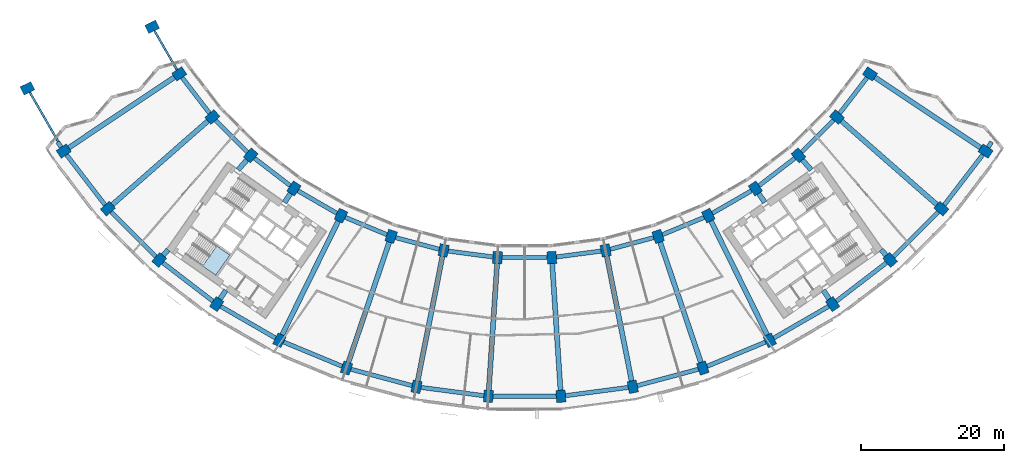
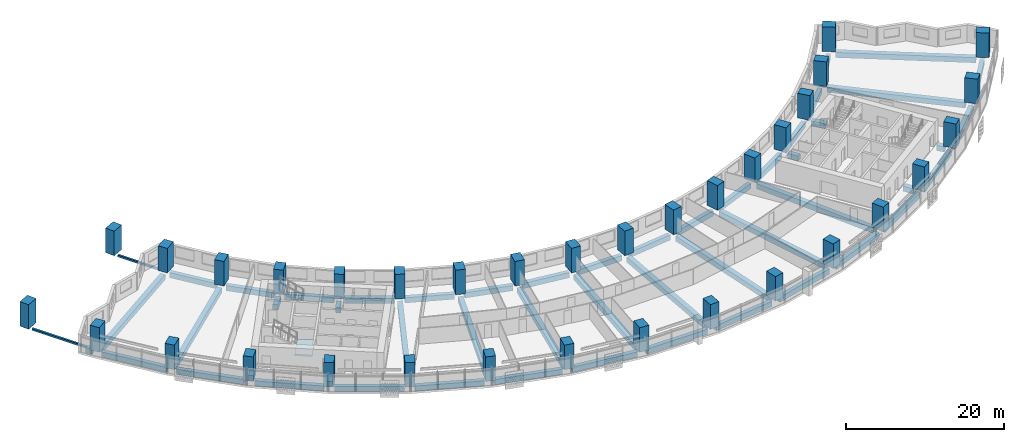
# One storey, part 1 of 29: 52 beams, 34 columns, 2 members, 1 slab, 1 element without a shape of its own.
"""IFC4 building model written with IfcOpenShell, lengths in metres."""

from ifc_helpers import new_model, si_unit, direction, frame, origin, origin_2d, place, context, subcontext, project, spatial, polyline, rectangle, hollow_rectangle, outline, extrude, material, layer, layer_set, material_profile, profile_set, type_object, element, aggregate, save


model = new_model("IFC4")

# Units and contexts
model_context = context("Model", 3, precision=1e-05, world=origin(), true_north=direction((0.0, 1.0)))
body_context = subcontext(model_context, "Body", "Model", "MODEL_VIEW")
ifc_project = project(units=[si_unit("LENGTHUNIT", "METRE"), si_unit("AREAUNIT", "SQUARE_METRE"), si_unit("VOLUMEUNIT", "CUBIC_METRE"), si_unit("PLANEANGLEUNIT", "RADIAN"), si_unit("MASSUNIT", "GRAM", prefix="KILO")], contexts=[model_context])

# Site, building, storey
site_placement = place(None, origin())
site = spatial("IfcSite", under=ifc_project, at=site_placement, CompositionType="ELEMENT")
building_placement = place(site_placement, origin())
building = spatial("IfcBuilding", under=site, at=building_placement, Name="Qamariyya Broadcast Tower", CompositionType="ELEMENT")
storey_placement = place(building_placement, frame((0.0, 0.0, 44.300048828125)))
storey = spatial("IfcBuildingStorey", under=building, at=storey_placement, Name="L07", CompositionType="ELEMENT", Elevation=44.300048828125)

# Columns
ifc_material_1 = material(Name="Concrete C70/85", Category="concrete")
ifc_material_profile_1 = material_profile(ifc_material_1, rectangle(XDim=1.300048828125, YDim=1.699951171875, at=origin_2d()))
ifc_profile_set_1 = profile_set([ifc_material_profile_1], Name="Concrete C70/85")
column_type = type_object("IfcColumnType", Name="RC column 1300 x 1700 C70/85", PredefinedType="COLUMN", material=ifc_profile_set_1)
for number, where, z_axis, x_axis, name in (
    (1, (-48.43310546875, -32.362060546875, 0.0), (0.0, 0.0, 1.0), (0.55557023302, -0.831469612303, 0.0), "Column C5 L07 B-R03"),
    (2, (-64.646728515625, -43.195556640625, 0.0), (0.0, 0.0, 1.0), (0.55557023302, -0.831469612303, 0.0), "Column C5 L07 C-R03"),
    (3, (-43.794677734375, -38.406982421875, 0.0), (0.0, 0.0, 1.0), (0.6593458151, -0.751839807479, 0.0), "Column C5 L07 B-R04"),
    (4, (-58.45556640625, -51.26416015625, 0.0), (0.0, 0.0, 1.0), (0.6593458151, -0.751839807479, 0.0), "Column C5 L07 C-R04"),
    (5, (-38.406982421875, -43.794677734375, 0.0), (0.0, 0.0, 1.0), (0.751839807479, -0.6593458151, 0.0), "Column C5 L07 B-R05"),
    (6, (-51.26416015625, -58.45556640625, 0.0), (0.0, 0.0, 1.0), (0.751839807479, -0.6593458151, 0.0), "Column C5 L07 C-R05"),
    (7, (-32.362060546875, -48.43310546875, 0.0), (0.0, 0.0, 1.0), (0.831469612303, -0.55557023302, 0.0), "Column C5 L07 B-R06"),
    (8, (-43.195556640625, -64.646728515625, 0.0), (0.0, 0.0, 1.0), (0.831469612303, -0.55557023302, 0.0), "Column C5 L07 C-R06"),
    (9, (-25.763427734375, -52.242919921875, 0.0), (0.0, 0.0, 1.0), (0.896872741533, -0.442288690219, 0.0), "Column C5 L07 B-R07"),
    (10, (-34.387939453125, -69.73193359375, 0.0), (0.0, 0.0, 1.0), (0.896872741533, -0.442288690219, 0.0), "Column C5 L07 C-R07"),
    (11, (-18.723876953125, -55.15869140625, 0.0), (0.0, 0.0, 1.0), (0.946930129495, -0.321439465303, 0.0), "Column C5 L07 B-R08"),
    (12, (-24.991943359375, -73.623779296875, 0.0), (0.0, 0.0, 1.0), (0.946930129495, -0.321439465303, 0.0), "Column C5 L07 C-R08"),
    (13, (-11.364013671875, -57.130859375, 0.0), (0.0, 0.0, 1.0), (0.980785280403, -0.195090322016, 0.0), "Column C5 L07 B-R09"),
    (14, (-15.168212890625, -76.256103515625, 0.0), (0.0, 0.0, 1.0), (0.980785280403, -0.195090322016, 0.0), "Column C5 L07 C-R09"),
    (15, (-3.809814453125, -58.125244140625, 0.0), (0.0, 0.0, 1.0), (0.997858923239, -0.06540312923, 0.0), "Column C5 L07 B-R10"),
    (16, (-5.085205078125, -77.58349609375, 0.0), (0.0, 0.0, 1.0), (0.997858923239, -0.06540312923, 0.0), "Column C5 L07 C-R10"),
    (17, (3.809814453125, -58.125244140625, 0.0), (0.0, 0.0, 1.0), (0.997858923239, 0.06540312923, 0.0), "Column C5 L07 B-R11"),
    (18, (5.085205078125, -77.58349609375, 0.0), (0.0, 0.0, 1.0), (0.997858923239, 0.06540312923, 0.0), "Column C5 L07 C-R11"),
    (19, (11.364013671875, -57.130859375, 0.0), (0.0, 0.0, 1.0), (0.980785280403, 0.195090322016, 0.0), "Column C5 L07 B-R12"),
    (20, (15.168212890625, -76.256103515625, 0.0), (0.0, 0.0, 1.0), (0.980785280403, 0.195090322016, 0.0), "Column C5 L07 C-R12"),
    (21, (18.723876953125, -55.15869140625, 0.0), (0.0, 0.0, 1.0), (0.946930129495, 0.321439465303, 0.0), "Column C5 L07 B-R13"),
    (22, (24.991943359375, -73.623779296875, 0.0), (0.0, 0.0, 1.0), (0.946930129495, 0.321439465303, 0.0), "Column C5 L07 C-R13"),
    (23, (25.763427734375, -52.242919921875, 0.0), (0.0, 0.0, 1.0), (0.896872741533, 0.442288690219, 0.0), "Column C5 L07 B-R14"),
    (24, (34.387939453125, -69.73193359375, 0.0), (0.0, 0.0, 1.0), (0.896872741533, 0.442288690219, 0.0), "Column C5 L07 C-R14"),
    (25, (32.362060546875, -48.43310546875, 0.0), (0.0, 0.0, 1.0), (0.831469612303, 0.55557023302, 0.0), "Column C5 L07 B-R15"),
    (26, (43.195556640625, -64.646728515625, 0.0), (0.0, 0.0, 1.0), (0.831469612303, 0.55557023302, 0.0), "Column C5 L07 C-R15"),
    (27, (38.406982421875, -43.794677734375, 0.0), (0.0, 0.0, 1.0), (0.751839807479, 0.6593458151, 0.0), "Column C5 L07 B-R16"),
    (28, (51.26416015625, -58.45556640625, 0.0), (0.0, 0.0, 1.0), (0.751839807479, 0.6593458151, 0.0), "Column C5 L07 C-R16"),
    (29, (43.794677734375, -38.406982421875, 0.0), (0.0, 0.0, 1.0), (0.6593458151, 0.751839807479, 0.0), "Column C5 L07 B-R17"),
    (30, (58.45556640625, -51.26416015625, 0.0), (0.0, 0.0, 1.0), (0.6593458151, 0.751839807479, 0.0), "Column C5 L07 C-R17"),
    (31, (48.43310546875, -32.362060546875, 0.0), (0.0, 0.0, 1.0), (0.55557023302, 0.831469612303, 0.0), "Column C5 L07 B-R18"),
    (32, (64.646728515625, -43.195556640625, 0.0), (0.0, 0.0, 1.0), (0.55557023302, 0.831469612303, 0.0), "Column C5 L07 C-R18"),
    (33, (-52.242919921875, -25.763427734375, 0.0), (0.0, 0.0, 1.0), (0.442288690219, -0.896872741533, 0.0), "Column C5 L07 B-R02"),
    (34, (-69.73193359375, -34.387939453125, 0.0), (0.0, 0.0, 1.0), (0.442288690219, -0.896872741533, 0.0), "Column C5 L07 C-R02"),
):
    element("IfcColumn", number, at=place(storey_placement, frame(where, z_axis=z_axis, x_axis=x_axis)), inside=storey, type_object=column_type, Name=name, PredefinedType="COLUMN", context=body_context, shape_type="SweptSolid", body=[
        extrude(rectangle(XDim=1.300048828125, YDim=1.699951171875, at=origin_2d()), origin(), (0.0, 0.0, 1.0), 3.800048828125),
    ])

# Members
ifc_material_2 = material(Name="Steel S355", Category="steel")
ifc_material_profile_2 = material_profile(ifc_material_2, hollow_rectangle(XDim=0.300048828125, YDim=0.300048828125, WallThickness=0.012451171875, InnerFilletRadius=0.012451171875, OuterFilletRadius=0.02490234375, at=origin_2d()))
ifc_profile_set_2 = profile_set([ifc_material_profile_2], Name="Steel S355")
member_type = type_object("IfcMemberType", Name="Pylon tie RHS 300x300x12.5", PredefinedType="STRUT", material=ifc_profile_set_2)
member_1_placement = place(storey_placement, frame((-48.7587890625, -31.7978515625, -0.449951171875), z_axis=(-0.500009058987, 0.866020173512, 0.0), x_axis=(-0.866020173512, -0.500009058987, 0.0)))
element("IfcMember", 35, at=member_1_placement, inside=storey, type_object=member_type, Name="Pylon tie T1 L07 B-R02", PredefinedType="STRUT", context=body_context, shape_type="SweptSolid", body=[
    extrude(hollow_rectangle(XDim=0.300048828125, YDim=0.300048828125, WallThickness=0.012451171875, InnerFilletRadius=0.012451171875, OuterFilletRadius=0.02490234375, at=origin_2d()), origin(), (0.0, 0.0, 1.0), 6.31689453125),
])
member_2_placement = place(storey_placement, frame((-64.972412109375, -42.63134765625, -0.449951171875), z_axis=(-0.500021158025, 0.866013187848, 0.0), x_axis=(-0.866013187848, -0.500021158025, 0.0)))
element("IfcMember", 36, at=member_2_placement, inside=storey, type_object=member_type, Name="Pylon tie T1 L07 C-R02", PredefinedType="STRUT", context=body_context, shape_type="SweptSolid", body=[
    extrude(hollow_rectangle(XDim=0.300048828125, YDim=0.300048828125, WallThickness=0.012451171875, InnerFilletRadius=0.012451171875, OuterFilletRadius=0.02490234375, at=origin_2d()), origin(), (0.0, 0.0, 1.0), 8.8671875),
])

# Beams
ifc_material_3 = material(Name="Concrete C50/60", Category="concrete")
ifc_material_profile_3 = material_profile(ifc_material_3, rectangle(XDim=0.60009765625, YDim=0.800048828125, at=origin_2d()))
ifc_profile_set_3 = profile_set([ifc_material_profile_3], Name="Concrete C50/60")
beam_type_1 = type_object("IfcBeamType", Name="RC edge beam 600 x 800 C50/60", PredefinedType="SPANDREL", material=ifc_profile_set_3)
beam_1_placement = place(storey_placement, frame((-48.03662109375, -32.878662109375, -0.699951171875), z_axis=(0.608763348773, -0.7933518672, 0.0), x_axis=(0.7933518672, 0.608763348773, 0.0)))
element("IfcBeam", 37, at=beam_1_placement, inside=storey, type_object=beam_type_1, Name="Edge beam B6 L07 B R03-R04", PredefinedType="SPANDREL", context=body_context, shape_type="SweptSolid", body=[
    extrude(rectangle(XDim=0.60009765625, YDim=0.800048828125, at=origin_2d()), origin(), (0.0, 0.0, 1.0), 6.31689453125),
])
beam_2_placement = place(storey_placement, frame((-43.333984375, -38.867431640625, -0.699951171875), z_axis=(0.707106781187, -0.707106781187, 0.0), x_axis=(0.707106781187, 0.707106781187, 0.0)))
element("IfcBeam", 38, at=beam_2_placement, inside=storey, type_object=beam_type_1, Name="Edge beam B6 L07 B R04-R05", PredefinedType="SPANDREL", context=body_context, shape_type="SweptSolid", body=[
    extrude(rectangle(XDim=0.60009765625, YDim=0.800048828125, at=origin_2d()), origin(), (0.0, 0.0, 1.0), 6.316650390625),
])
for number, where, z_axis, x_axis, name in (
    (39, (-37.89013671875, -44.191162109375, -0.699951171875), (0.7933518672, -0.608763348773, 0.0), (0.608763348773, 0.7933518672, 0.0), "Edge beam B6 L07 B R05-R06"),
    (40, (-31.7978515625, -48.7587890625, -0.699951171875), (0.866020173512, -0.500009058987, 0.0), (0.500009058987, 0.866020173512, 0.0), "Edge beam B6 L07 B R06-R07"),
):
    element("IfcBeam", number, at=place(storey_placement, frame(where, z_axis=z_axis, x_axis=x_axis)), inside=storey, type_object=beam_type_1, Name=name, PredefinedType="SPANDREL", context=body_context, shape_type="SweptSolid", body=[
        extrude(rectangle(XDim=0.60009765625, YDim=0.800048828125, at=origin_2d()), origin(), (0.0, 0.0, 1.0), 6.31689453125),
    ])
for number, where, z_axis, x_axis, name in (
    (41, (-25.16162109375, -52.4921875, -0.699951171875), (0.923884465345, -0.382671523234, 0.0), (0.382671523234, 0.923884465345, 0.0), "Edge beam B6 L07 B R07-R08"),
    (42, (-18.0947265625, -55.327392578125, -0.699951171875), (0.965931490327, -0.258797905699, 0.0), (0.258797905699, 0.965931490327, 0.0), "Edge beam B6 L07 B R08-R09"),
    (43, (-10.71826171875, -57.2158203125, -0.699951171875), (0.991445610946, -0.130520498525, 0.0), (0.130520498525, 0.991445610946, 0.0), "Edge beam B6 L07 B R09-R10"),
):
    element("IfcBeam", number, at=place(storey_placement, frame(where, z_axis=z_axis, x_axis=x_axis)), inside=storey, type_object=beam_type_1, Name=name, PredefinedType="SPANDREL", context=body_context, shape_type="SweptSolid", body=[
        extrude(rectangle(XDim=0.60009765625, YDim=0.800048828125, at=origin_2d()), origin(), (0.0, 0.0, 1.0), 6.316650390625),
    ])
beam_3_placement = place(storey_placement, frame((-3.158447265625, -58.125244140625, -0.699951171875), z_axis=(1.0, 0.0, 0.0), x_axis=(0.0, 1.0, 0.0)))
element("IfcBeam", 44, at=beam_3_placement, inside=storey, type_object=beam_type_1, Name="Edge beam B6 L07 B R10-R11", PredefinedType="SPANDREL", context=body_context, shape_type="SweptSolid", body=[
    extrude(rectangle(XDim=0.60009765625, YDim=0.800048828125, at=origin_2d()), origin(), (0.0, 0.0, 1.0), 6.31689453125),
])
for number, where, z_axis, x_axis, name in (
    (45, (4.45556640625, -58.040283203125, -0.699951171875), (0.991445610946, 0.130520498525, 0.0), (-0.130520498525, 0.991445610946, 0.0), "Edge beam B6 L07 B R11-R12"),
    (46, (11.9931640625, -56.962158203125, -0.699951171875), (0.965931490327, 0.258797905699, 0.0), (-0.258797905699, 0.965931490327, 0.0), "Edge beam B6 L07 B R12-R13"),
    (47, (19.32568359375, -54.909423828125, -0.699951171875), (0.923884465345, 0.382671523234, 0.0), (-0.382671523234, 0.923884465345, 0.0), "Edge beam B6 L07 B R13-R14"),
):
    element("IfcBeam", number, at=place(storey_placement, frame(where, z_axis=z_axis, x_axis=x_axis)), inside=storey, type_object=beam_type_1, Name=name, PredefinedType="SPANDREL", context=body_context, shape_type="SweptSolid", body=[
        extrude(rectangle(XDim=0.60009765625, YDim=0.800048828125, at=origin_2d()), origin(), (0.0, 0.0, 1.0), 6.316650390625),
    ])
for number, where, z_axis, x_axis, name in (
    (48, (26.327392578125, -51.917236328125, -0.699951171875), (0.866020173512, 0.500009058987, 0.0), (-0.500009058987, 0.866020173512, 0.0), "Edge beam B6 L07 B R14-R15"),
    (49, (32.878662109375, -48.03662109375, -0.699951171875), (0.7933518672, 0.608763348773, 0.0), (-0.608763348773, 0.7933518672, 0.0), "Edge beam B6 L07 B R15-R16"),
):
    element("IfcBeam", number, at=place(storey_placement, frame(where, z_axis=z_axis, x_axis=x_axis)), inside=storey, type_object=beam_type_1, Name=name, PredefinedType="SPANDREL", context=body_context, shape_type="SweptSolid", body=[
        extrude(rectangle(XDim=0.60009765625, YDim=0.800048828125, at=origin_2d()), origin(), (0.0, 0.0, 1.0), 6.31689453125),
    ])
beam_4_placement = place(storey_placement, frame((38.867431640625, -43.333984375, -0.699951171875), z_axis=(0.707106781187, 0.707106781187, 0.0), x_axis=(-0.707106781187, 0.707106781187, 0.0)))
element("IfcBeam", 50, at=beam_4_placement, inside=storey, type_object=beam_type_1, Name="Edge beam B6 L07 B R16-R17", PredefinedType="SPANDREL", context=body_context, shape_type="SweptSolid", body=[
    extrude(rectangle(XDim=0.60009765625, YDim=0.800048828125, at=origin_2d()), origin(), (0.0, 0.0, 1.0), 6.316650390625),
])
beam_5_placement = place(storey_placement, frame((44.191162109375, -37.89013671875, -0.699951171875), z_axis=(0.608763348773, 0.7933518672, 0.0), x_axis=(-0.7933518672, 0.608763348773, 0.0)))
element("IfcBeam", 51, at=beam_5_placement, inside=storey, type_object=beam_type_1, Name="Edge beam B6 L07 B R17-R18", PredefinedType="SPANDREL", context=body_context, shape_type="SweptSolid", body=[
    extrude(rectangle(XDim=0.60009765625, YDim=0.800048828125, at=origin_2d()), origin(), (0.0, 0.0, 1.0), 6.31689453125),
])
beam_6_placement = place(storey_placement, frame((-64.250244140625, -43.71240234375, -0.699951171875), z_axis=(0.608769622928, -0.793347052809, 0.0), x_axis=(0.793347052809, 0.608769622928, 0.0)))
element("IfcBeam", 52, at=beam_6_placement, inside=storey, type_object=beam_type_1, Name="Edge beam B6 L07 C R03-R04", PredefinedType="SPANDREL", context=body_context, shape_type="SweptSolid", body=[
    extrude(rectangle(XDim=0.60009765625, YDim=0.800048828125, at=origin_2d()), origin(), (0.0, 0.0, 1.0), 8.867431640625),
])
beam_7_placement = place(storey_placement, frame((-57.994873046875, -51.724853515625, -0.699951171875), z_axis=(0.707106781187, -0.707106781187, 0.0), x_axis=(0.707106781187, 0.707106781187, 0.0)))
element("IfcBeam", 53, at=beam_7_placement, inside=storey, type_object=beam_type_1, Name="Edge beam B6 L07 C R04-R05", PredefinedType="SPANDREL", context=body_context, shape_type="SweptSolid", body=[
    extrude(rectangle(XDim=0.60009765625, YDim=0.800048828125, at=origin_2d()), origin(), (0.0, 0.0, 1.0), 8.8671875),
])
beam_8_placement = place(storey_placement, frame((-50.747314453125, -58.85205078125, -0.699951171875), z_axis=(0.793347052809, -0.608769622928, 0.0), x_axis=(0.608769622928, 0.793347052809, 0.0)))
element("IfcBeam", 54, at=beam_8_placement, inside=storey, type_object=beam_type_1, Name="Edge beam B6 L07 C R05-R06", PredefinedType="SPANDREL", context=body_context, shape_type="SweptSolid", body=[
    extrude(rectangle(XDim=0.60009765625, YDim=0.800048828125, at=origin_2d()), origin(), (0.0, 0.0, 1.0), 8.867431640625),
])
beam_9_placement = place(storey_placement, frame((-42.63134765625, -64.972412109375, -0.699951171875), z_axis=(0.866013187848, -0.500021158025, 0.0), x_axis=(0.500021158025, 0.866013187848, 0.0)))
element("IfcBeam", 55, at=beam_9_placement, inside=storey, type_object=beam_type_1, Name="Edge beam B6 L07 C R06-R07", PredefinedType="SPANDREL", context=body_context, shape_type="SweptSolid", body=[
    extrude(rectangle(XDim=0.60009765625, YDim=0.800048828125, at=origin_2d()), origin(), (0.0, 0.0, 1.0), 8.8671875),
])
for number, where, z_axis, x_axis, name in (
    (56, (-33.7861328125, -69.981201171875, -0.699951171875), (0.923882942367, -0.382675200142, 0.0), (0.382675200142, 0.923882942367, 0.0), "Edge beam B6 L07 C R07-R08"),
    (57, (-24.36279296875, -73.79248046875, -0.699951171875), (0.965930847021, -0.258800306749, 0.0), (0.258800306749, 0.965930847021, 0.0), "Edge beam B6 L07 C R08-R09"),
    (58, (-14.5224609375, -76.341064453125, -0.699951171875), (0.991444171706, -0.13053143066, 0.0), (0.13053143066, 0.991444171706, 0.0), "Edge beam B6 L07 C R09-R10"),
):
    element("IfcBeam", number, at=place(storey_placement, frame(where, z_axis=z_axis, x_axis=x_axis)), inside=storey, type_object=beam_type_1, Name=name, PredefinedType="SPANDREL", context=body_context, shape_type="SweptSolid", body=[
        extrude(rectangle(XDim=0.60009765625, YDim=0.800048828125, at=origin_2d()), origin(), (0.0, 0.0, 1.0), 8.867431640625),
    ])
beam_10_placement = place(storey_placement, frame((-4.43359375, -77.58349609375, -0.699951171875), z_axis=(1.0, 0.0, 0.0), x_axis=(0.0, 1.0, 0.0)))
element("IfcBeam", 59, at=beam_10_placement, inside=storey, type_object=beam_type_1, Name="Edge beam B6 L07 C R10-R11", PredefinedType="SPANDREL", context=body_context, shape_type="SweptSolid", body=[
    extrude(rectangle(XDim=0.60009765625, YDim=0.800048828125, at=origin_2d()), origin(), (0.0, 0.0, 1.0), 8.8671875),
])
for number, where, z_axis, x_axis, name in (
    (60, (5.73095703125, -77.49853515625, -0.699951171875), (0.991444171706, 0.13053143066, 0.0), (-0.13053143066, 0.991444171706, 0.0), "Edge beam B6 L07 C R11-R12"),
    (61, (15.79736328125, -76.08740234375, -0.699951171875), (0.965930847021, 0.258800306749, 0.0), (-0.258800306749, 0.965930847021, 0.0), "Edge beam B6 L07 C R12-R13"),
    (62, (25.59375, -73.37451171875, -0.699951171875), (0.923882942367, 0.382675200142, 0.0), (-0.382675200142, 0.923882942367, 0.0), "Edge beam B6 L07 C R13-R14"),
):
    element("IfcBeam", number, at=place(storey_placement, frame(where, z_axis=z_axis, x_axis=x_axis)), inside=storey, type_object=beam_type_1, Name=name, PredefinedType="SPANDREL", context=body_context, shape_type="SweptSolid", body=[
        extrude(rectangle(XDim=0.60009765625, YDim=0.800048828125, at=origin_2d()), origin(), (0.0, 0.0, 1.0), 8.867431640625),
    ])
beam_11_placement = place(storey_placement, frame((34.9521484375, -69.40625, -0.699951171875), z_axis=(0.866013187848, 0.500021158025, 0.0), x_axis=(-0.500021158025, 0.866013187848, 0.0)))
element("IfcBeam", 63, at=beam_11_placement, inside=storey, type_object=beam_type_1, Name="Edge beam B6 L07 C R14-R15", PredefinedType="SPANDREL", context=body_context, shape_type="SweptSolid", body=[
    extrude(rectangle(XDim=0.60009765625, YDim=0.800048828125, at=origin_2d()), origin(), (0.0, 0.0, 1.0), 8.8671875),
])
beam_12_placement = place(storey_placement, frame((43.71240234375, -64.250244140625, -0.699951171875), z_axis=(0.793347052809, 0.608769622928, 0.0), x_axis=(-0.608769622928, 0.793347052809, 0.0)))
element("IfcBeam", 64, at=beam_12_placement, inside=storey, type_object=beam_type_1, Name="Edge beam B6 L07 C R15-R16", PredefinedType="SPANDREL", context=body_context, shape_type="SweptSolid", body=[
    extrude(rectangle(XDim=0.60009765625, YDim=0.800048828125, at=origin_2d()), origin(), (0.0, 0.0, 1.0), 8.867431640625),
])
beam_13_placement = place(storey_placement, frame((51.724853515625, -57.994873046875, -0.699951171875), z_axis=(0.707106781187, 0.707106781187, 0.0), x_axis=(-0.707106781187, 0.707106781187, 0.0)))
element("IfcBeam", 65, at=beam_13_placement, inside=storey, type_object=beam_type_1, Name="Edge beam B6 L07 C R16-R17", PredefinedType="SPANDREL", context=body_context, shape_type="SweptSolid", body=[
    extrude(rectangle(XDim=0.60009765625, YDim=0.800048828125, at=origin_2d()), origin(), (0.0, 0.0, 1.0), 8.8671875),
])
beam_14_placement = place(storey_placement, frame((58.85205078125, -50.747314453125, -0.699951171875), z_axis=(0.608769622928, 0.793347052809, 0.0), x_axis=(-0.793347052809, 0.608769622928, 0.0)))
element("IfcBeam", 66, at=beam_14_placement, inside=storey, type_object=beam_type_1, Name="Edge beam B6 L07 C R17-R18", PredefinedType="SPANDREL", context=body_context, shape_type="SweptSolid", body=[
    extrude(rectangle(XDim=0.60009765625, YDim=0.800048828125, at=origin_2d()), origin(), (0.0, 0.0, 1.0), 8.867431640625),
])
ifc_material_profile_4 = material_profile(ifc_material_3, rectangle(XDim=0.60009765625, YDim=0.800048828125, at=origin_2d()))
ifc_profile_set_4 = profile_set([ifc_material_profile_4], Name="Concrete C50/60")
beam_type_2 = type_object("IfcBeamType", Name="RC horn beam 600 x 800 C50/60", PredefinedType="BEAM", material=ifc_profile_set_4)
for number, where, z_axis, x_axis, name in (
    (67, (-65.001708984375, -42.65087890625, -0.699951171875), (-0.545903564827, 0.837848015997, 0.0), (-0.837848015997, -0.545903564827, 0.0), "Horn beam B7 L07 W C-R03"),
    (68, (65.001708984375, -42.65087890625, -0.699951171875), (0.545903564827, 0.837848015997, 0.0), (-0.837848015997, 0.545903564827, 0.0), "Horn beam B7 L07 E C-R18"),
):
    element("IfcBeam", number, at=place(storey_placement, frame(where, z_axis=z_axis, x_axis=x_axis)), inside=storey, type_object=beam_type_2, Name=name, PredefinedType="BEAM", context=body_context, shape_type="SweptSolid", body=[
        extrude(rectangle(XDim=0.60009765625, YDim=0.800048828125, at=origin_2d()), origin(), (0.0, 0.0, 1.0), 0.89990234375),
    ])
ifc_material_profile_5 = material_profile(ifc_material_3, rectangle(XDim=0.699951171875, YDim=0.800048828125, at=origin_2d()))
ifc_profile_set_5 = profile_set([ifc_material_profile_5], Name="Concrete C50/60")
beam_type_3 = type_object("IfcBeamType", Name="RC radial beam 700 x 800 C50/60", PredefinedType="BEAM", material=ifc_profile_set_5)
for number, where, z_axis, x_axis, name in (
    (69, (-49.139892578125, -32.834228515625, -0.699951171875), (-0.831467440413, -0.555573483469, 0.0), (0.555573483469, -0.831467440413, 0.0), "Radial beam B5 L07 R03 B-C"),
    (70, (-44.433837890625, -38.96728515625, -0.699951171875), (-0.751836168626, -0.659349964393, 0.0), (0.659349964393, -0.751836168626, 0.0), "Radial beam B5 L07 R04 B-C"),
):
    element("IfcBeam", number, at=place(storey_placement, frame(where, z_axis=z_axis, x_axis=x_axis)), inside=storey, type_object=beam_type_3, Name=name, PredefinedType="BEAM", context=body_context, shape_type="SweptSolid", body=[
        extrude(rectangle(XDim=0.699951171875, YDim=0.800048828125, at=origin_2d()), origin(), (0.0, 0.0, 1.0), 17.7998046875),
    ])
beam_15_placement = place(storey_placement, frame((-38.96728515625, -44.433837890625, -0.699951171875), z_axis=(-0.659385827408, -0.751804715743, 0.0), x_axis=(0.751804715743, -0.659385827408, 0.0)))
element("IfcBeam", 71, at=beam_15_placement, inside=storey, type_object=beam_type_3, Name="Radial beam B5 L07 R05 B-C", PredefinedType="BEAM", context=body_context, shape_type="SweptSolid", body=[
    extrude(rectangle(XDim=0.699951171875, YDim=0.800048828125, at=origin_2d()), origin(), (0.0, 0.0, 1.0), 1.8623046875),
])
beam_16_placement = place(storey_placement, frame((-50.011962890625, -57.027587890625, -0.699951171875), z_axis=(-0.659278599496, -0.751898748667, 0.0), x_axis=(0.751898748667, -0.659278599496, 0.0)))
element("IfcBeam", 72, at=beam_16_placement, inside=storey, type_object=beam_type_3, Name="Radial beam B5 L07 R05 B-C", PredefinedType="BEAM", context=body_context, shape_type="SweptSolid", body=[
    extrude(rectangle(XDim=0.699951171875, YDim=0.800048828125, at=origin_2d()), origin(), (0.0, 0.0, 1.0), 1.049072265625),
])
beam_17_placement = place(storey_placement, frame((-32.834228515625, -49.139892578125, -0.699951171875), z_axis=(-0.555518362002, -0.831504269068, 0.0), x_axis=(0.831504269068, -0.555518362002, 0.0)))
element("IfcBeam", 73, at=beam_17_placement, inside=storey, type_object=beam_type_3, Name="Radial beam B5 L07 R06 B-C", PredefinedType="BEAM", context=body_context, shape_type="SweptSolid", body=[
    extrude(rectangle(XDim=0.699951171875, YDim=0.800048828125, at=origin_2d()), origin(), (0.0, 0.0, 1.0), 1.514404296875),
])
beam_18_placement = place(storey_placement, frame((-41.89990234375, -62.707763671875, -0.699951171875), z_axis=(-0.555650227013, -0.831416156459, 0.0), x_axis=(0.831416156459, -0.555650227013, 0.0)))
element("IfcBeam", 74, at=beam_18_placement, inside=storey, type_object=beam_type_3, Name="Radial beam B5 L07 R06 B-C", PredefinedType="BEAM", context=body_context, shape_type="SweptSolid", body=[
    extrude(rectangle(XDim=0.699951171875, YDim=0.800048828125, at=origin_2d()), origin(), (0.0, 0.0, 1.0), 1.48193359375),
])
beam_19_placement = place(storey_placement, frame((-26.13916015625, -53.005126953125, -0.699951171875), z_axis=(-0.442291123934, -0.896871541353, 0.0), x_axis=(0.896871541353, -0.442291123934, 0.0)))
element("IfcBeam", 75, at=beam_19_placement, inside=storey, type_object=beam_type_3, Name="Radial beam B5 L07 R07 B-C", PredefinedType="BEAM", context=body_context, shape_type="SweptSolid", body=[
    extrude(rectangle(XDim=0.699951171875, YDim=0.800048828125, at=origin_2d()), origin(), (0.0, 0.0, 1.0), 17.800048828125),
])
beam_20_placement = place(storey_placement, frame((-18.9970703125, -55.963623046875, -0.699951171875), z_axis=(-0.321444599042, -0.94692838681, 0.0), x_axis=(0.94692838681, -0.321444599042, 0.0)))
element("IfcBeam", 76, at=beam_20_placement, inside=storey, type_object=beam_type_3, Name="Radial beam B5 L07 R08 B-C", PredefinedType="BEAM", context=body_context, shape_type="SweptSolid", body=[
    extrude(rectangle(XDim=0.699951171875, YDim=0.800048828125, at=origin_2d()), origin(), (0.0, 0.0, 1.0), 17.7998046875),
])
for number, where, z_axis, x_axis, name in (
    (77, (-11.52978515625, -57.96435546875, -0.699951171875), (-0.19509262344, -0.980784822619, 0.0), (0.980784822619, -0.19509262344, 0.0), "Radial beam B5 L07 R09 B-C"),
    (78, (-3.865234375, -58.973388671875, -0.699951171875), (-0.0654101824, -0.997858460924, 0.0), (0.997858460924, -0.0654101824, 0.0), "Radial beam B5 L07 R10 B-C"),
    (79, (3.865234375, -58.973388671875, -0.699951171875), (0.0654101824, -0.997858460924, 0.0), (0.997858460924, 0.0654101824, 0.0), "Radial beam B5 L07 R11 B-C"),
    (80, (11.52978515625, -57.96435546875, -0.699951171875), (0.19509262344, -0.980784822619, 0.0), (0.980784822619, 0.19509262344, 0.0), "Radial beam B5 L07 R12 B-C"),
):
    element("IfcBeam", number, at=place(storey_placement, frame(where, z_axis=z_axis, x_axis=x_axis)), inside=storey, type_object=beam_type_3, Name=name, PredefinedType="BEAM", context=body_context, shape_type="SweptSolid", body=[
        extrude(rectangle(XDim=0.699951171875, YDim=0.800048828125, at=origin_2d()), origin(), (0.0, 0.0, 1.0), 17.800048828125),
    ])
beam_21_placement = place(storey_placement, frame((18.9970703125, -55.963623046875, -0.699951171875), z_axis=(0.321444599042, -0.94692838681, 0.0), x_axis=(0.94692838681, 0.321444599042, 0.0)))
element("IfcBeam", 81, at=beam_21_placement, inside=storey, type_object=beam_type_3, Name="Radial beam B5 L07 R13 B-C", PredefinedType="BEAM", context=body_context, shape_type="SweptSolid", body=[
    extrude(rectangle(XDim=0.699951171875, YDim=0.800048828125, at=origin_2d()), origin(), (0.0, 0.0, 1.0), 17.7998046875),
])
beam_22_placement = place(storey_placement, frame((26.13916015625, -53.005126953125, -0.699951171875), z_axis=(0.442291123934, -0.896871541353, 0.0), x_axis=(0.896871541353, 0.442291123934, 0.0)))
element("IfcBeam", 82, at=beam_22_placement, inside=storey, type_object=beam_type_3, Name="Radial beam B5 L07 R14 B-C", PredefinedType="BEAM", context=body_context, shape_type="SweptSolid", body=[
    extrude(rectangle(XDim=0.699951171875, YDim=0.800048828125, at=origin_2d()), origin(), (0.0, 0.0, 1.0), 17.800048828125),
])
beam_23_placement = place(storey_placement, frame((32.834228515625, -49.139892578125, -0.699951171875), z_axis=(0.555518362002, -0.831504269068, 0.0), x_axis=(0.831504269068, 0.555518362002, 0.0)))
element("IfcBeam", 83, at=beam_23_placement, inside=storey, type_object=beam_type_3, Name="Radial beam B5 L07 R15 B-C", PredefinedType="BEAM", context=body_context, shape_type="SweptSolid", body=[
    extrude(rectangle(XDim=0.699951171875, YDim=0.800048828125, at=origin_2d()), origin(), (0.0, 0.0, 1.0), 1.514404296875),
])
beam_24_placement = place(storey_placement, frame((41.89990234375, -62.707763671875, -0.699951171875), z_axis=(0.555650227013, -0.831416156459, 0.0), x_axis=(0.831416156459, 0.555650227013, 0.0)))
element("IfcBeam", 84, at=beam_24_placement, inside=storey, type_object=beam_type_3, Name="Radial beam B5 L07 R15 B-C", PredefinedType="BEAM", context=body_context, shape_type="SweptSolid", body=[
    extrude(rectangle(XDim=0.699951171875, YDim=0.800048828125, at=origin_2d()), origin(), (0.0, 0.0, 1.0), 1.48193359375),
])
beam_25_placement = place(storey_placement, frame((38.96728515625, -44.433837890625, -0.699951171875), z_axis=(0.659385827408, -0.751804715743, 0.0), x_axis=(0.751804715743, 0.659385827408, 0.0)))
element("IfcBeam", 85, at=beam_25_placement, inside=storey, type_object=beam_type_3, Name="Radial beam B5 L07 R16 B-C", PredefinedType="BEAM", context=body_context, shape_type="SweptSolid", body=[
    extrude(rectangle(XDim=0.699951171875, YDim=0.800048828125, at=origin_2d()), origin(), (0.0, 0.0, 1.0), 1.8623046875),
])
beam_26_placement = place(storey_placement, frame((50.011962890625, -57.027587890625, -0.699951171875), z_axis=(0.659278599496, -0.751898748667, 0.0), x_axis=(0.751898748667, 0.659278599496, 0.0)))
element("IfcBeam", 86, at=beam_26_placement, inside=storey, type_object=beam_type_3, Name="Radial beam B5 L07 R16 B-C", PredefinedType="BEAM", context=body_context, shape_type="SweptSolid", body=[
    extrude(rectangle(XDim=0.699951171875, YDim=0.800048828125, at=origin_2d()), origin(), (0.0, 0.0, 1.0), 1.049072265625),
])
for number, where, z_axis, x_axis, name in (
    (87, (44.433837890625, -38.96728515625, -0.699951171875), (0.751836168626, -0.659349964393, 0.0), (0.659349964393, 0.751836168626, 0.0), "Radial beam B5 L07 R17 B-C"),
    (88, (49.139892578125, -32.834228515625, -0.699951171875), (0.831467440413, -0.555573483469, 0.0), (0.555573483469, 0.831467440413, 0.0), "Radial beam B5 L07 R18 B-C"),
):
    element("IfcBeam", number, at=place(storey_placement, frame(where, z_axis=z_axis, x_axis=x_axis)), inside=storey, type_object=beam_type_3, Name=name, PredefinedType="BEAM", context=body_context, shape_type="SweptSolid", body=[
        extrude(rectangle(XDim=0.699951171875, YDim=0.800048828125, at=origin_2d()), origin(), (0.0, 0.0, 1.0), 17.7998046875),
    ])

# Stair, slab
stair_type = type_object("IfcStairType", Name="Exit stair 22 risers of 173 mm", PredefinedType="HALF_TURN_STAIR", material=ifc_material_3)
stair_placement = place(storey_placement, origin())
stair = element("IfcStair", 89, at=stair_placement, inside=storey, type_object=stair_type, Name="L07 Stair W1", PredefinedType="HALF_TURN_STAIR")
ifc_layer = layer(ifc_material_3, 0.199951171875)
ifc_layer_set = layer_set([ifc_layer], Name="Stair landing")
slab_type = type_object("IfcSlabType", Name="Stair landing", PredefinedType="LANDING", material=ifc_layer_set)
slab_placement = place(storey_placement, frame((0.0, 0.0, 1.699951171875)))
slab = element("IfcSlab", 90, at=slab_placement, type_object=slab_type, Name="ST-W1 landing 1", PredefinedType="LANDING", context=body_context, shape_type="SweptSolid", body=[
    extrude(outline(polyline([(-45.169677734375, -59.319580078125), (-43.3271484375, -60.609619140625), (-41.348388671875, -57.783447265625), (-43.19091796875, -56.493408203125), (-45.169677734375, -59.319580078125)])), origin(), (0.0, 0.0, 1.0), 0.199951171875),
])
aggregate(stair, [slab])

save(model, "model.ifc")
